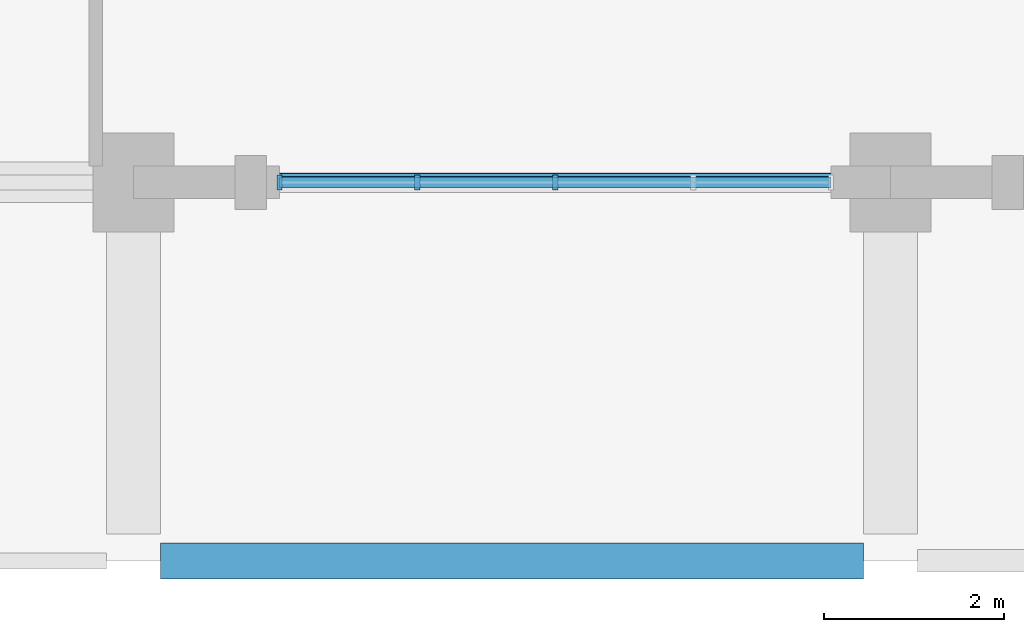
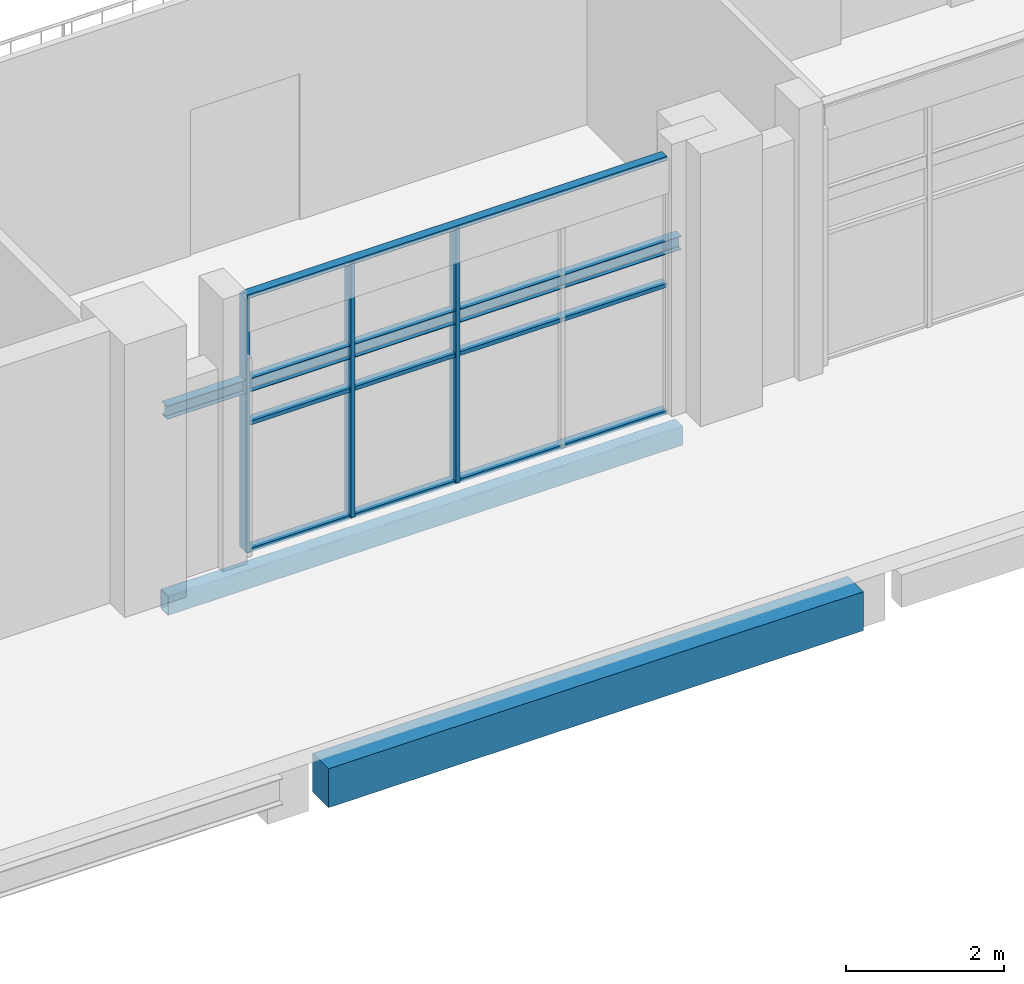
# One storey, part 11 of 59: 6 members, 3 beams, 1 element without a shape of its own.
"""IFC4 building model written with IfcOpenShell, lengths in metres."""

from ifc_helpers import new_model, si_unit, derived_unit, direction, frame, origin, origin_2d, place, context, subcontext, project, spatial, rectangle, hollow_rectangle, i_section, extrude, material, material_profile, profile_set, type_object, element, aggregate, save


model = new_model("IFC4")

# Units and contexts
model_context = context("Model", 3, precision=1e-05, world=origin(), true_north=direction((0.0, 1.0)))
body_context = subcontext(model_context, "Body", "Model", "MODEL_VIEW")
ifc_project = project(units=[si_unit("LENGTHUNIT", "METRE"), si_unit("AREAUNIT", "SQUARE_METRE"), si_unit("VOLUMEUNIT", "CUBIC_METRE"), si_unit("PLANEANGLEUNIT", "RADIAN"), si_unit("MASSUNIT", "GRAM", prefix="KILO"), derived_unit("THERMALTRANSMITTANCEUNIT", [(si_unit("POWERUNIT", "WATT"), 1), (si_unit("LENGTHUNIT", "METRE"), -2), (si_unit("THERMODYNAMICTEMPERATUREUNIT", "KELVIN"), -1)])], contexts=[model_context])

# Site, building, storey
site_placement = place(None, origin())
site = spatial("IfcSite", under=ifc_project, at=site_placement, CompositionType="ELEMENT")
building_placement = place(site_placement, origin())
building = spatial("IfcBuilding", under=site, at=building_placement, Name="Barrovel Congress Hotel", CompositionType="ELEMENT")
storey_placement = place(building_placement, frame((0.0, 0.0, 9.89990234375)))
storey = spatial("IfcBuildingStorey", under=building, at=storey_placement, Name="L02", CompositionType="ELEMENT", Elevation=9.89990234375)

# Beam
ifc_material_1 = material(Name="Concrete C40", Category="concrete")
ifc_material_profile_1 = material_profile(ifc_material_1, rectangle(XDim=0.39990234375, YDim=0.60009765625, at=origin_2d()), Name="RC400x600")
ifc_profile_set_1 = profile_set([ifc_material_profile_1], Name="Concrete C40")
beam_type_1 = type_object("IfcBeamType", Name="BM-RC400x600", PredefinedType="BEAM", material=ifc_profile_set_1)
beam_1_placement = place(storey_placement, frame((59.10009765625, 0.0, -0.559814453125), z_axis=(1.0, 0.0, 0.0), x_axis=(0.0, 1.0, 0.0)))
element("IfcBeam", 1, at=beam_1_placement, inside=storey, type_object=beam_type_1, Name="BMX:L02:0.0:58.8-67.2", PredefinedType="BEAM", context=body_context, shape_type="SweptSolid", body=[
    extrude(rectangle(XDim=0.39990234375, YDim=0.60009765625, at=origin_2d()), origin(), (0.0, 0.0, 1.0), 7.7998046875),
])

# Curtain wall, members
ifc_material_2 = material(Name="Anodised Aluminium Alloy 6063-T6", Category="aluminium")
curtain_wall_type = type_object("IfcCurtainWallType", Name="CW-ST-7200x3600", PredefinedType="USERDEFINED", material=ifc_material_2)
curtain_wall_placement = place(storey_placement, origin())
curtain_wall = element("IfcCurtainWall", 2, at=curtain_wall_placement, inside=storey, type_object=curtain_wall_type, Name="CW:L02:S:07", ObjectType="STICK CURTAIN WALL", PredefinedType="USERDEFINED")
ifc_material_profile_2 = material_profile(ifc_material_2, rectangle(XDim=0.06005859375, YDim=0.1650390625, at=origin_2d()), Name="AL-M60x165")
ifc_profile_set_2 = profile_set([ifc_material_profile_2], Name="Anodised Aluminium Alloy 6063-T6")
member_type_1 = type_object("IfcMemberType", Name="CWM-AL-M60x165", PredefinedType="MULLION", material=ifc_profile_set_2)
member_1_placement = place(storey_placement, frame((60.419921875, 4.199951171875, 0.0), z_axis=(0.0, 0.0, 1.0), x_axis=(1.0, 0.0, 0.0)))
member_1 = element("IfcMember", 3, at=member_1_placement, type_object=member_type_1, Name="CW:L02:S:07:M0", PredefinedType="MULLION", context=body_context, shape_type="SweptSolid", body=[
    extrude(rectangle(XDim=0.06005859375, YDim=0.1650390625, at=origin_2d()), origin(), (0.0, 0.0, 1.0), 3.920166015625),
])
member_2_placement = place(storey_placement, frame((61.949951171875, 4.199951171875, 0.0), z_axis=(0.0, 0.0, 1.0), x_axis=(1.0, 0.0, 0.0)))
member_2 = element("IfcMember", 4, at=member_2_placement, type_object=member_type_1, Name="CW:L02:S:07:M1", PredefinedType="MULLION", context=body_context, shape_type="SweptSolid", body=[
    extrude(rectangle(XDim=0.06005859375, YDim=0.1650390625, at=origin_2d()), origin(), (0.0, 0.0, 1.0), 3.920166015625),
])
member_3_placement = place(storey_placement, frame((63.47998046875, 4.199951171875, 0.0), z_axis=(0.0, 0.0, 1.0), x_axis=(1.0, 0.0, 0.0)))
member_3 = element("IfcMember", 5, at=member_3_placement, type_object=member_type_1, Name="CW:L02:S:07:M2", PredefinedType="MULLION", context=body_context, shape_type="SweptSolid", body=[
    extrude(rectangle(XDim=0.06005859375, YDim=0.1650390625, at=origin_2d()), origin(), (0.0, 0.0, 1.0), 3.920166015625),
])
ifc_material_profile_3 = material_profile(ifc_material_2, rectangle(XDim=0.125, YDim=0.06005859375, at=origin_2d()), Name="AL-T60x125")
ifc_profile_set_3 = profile_set([ifc_material_profile_3], Name="Anodised Aluminium Alloy 6063-T6")
member_type_2 = type_object("IfcMemberType", Name="CWT-AL-T60x125", PredefinedType="USERDEFINED", material=ifc_profile_set_3)
member_4_placement = place(storey_placement, frame((60.419921875, 4.199951171875, 0.0), z_axis=(1.0, 0.0, 0.0), x_axis=(0.0, 1.0, 0.0)))
member_4 = element("IfcMember", 6, at=member_4_placement, type_object=member_type_2, Name="CW:L02:S:07:T0", ObjectType="TRANSOM", PredefinedType="USERDEFINED", context=body_context, shape_type="SweptSolid", body=[
    extrude(rectangle(XDim=0.125, YDim=0.06005859375, at=origin_2d()), origin(), (0.0, 0.0, 1.0), 6.1201171875),
])
member_5_placement = place(storey_placement, frame((60.419921875, 4.199951171875, 1.960205078125), z_axis=(1.0, 0.0, 0.0), x_axis=(0.0, 1.0, 0.0)))
member_5 = element("IfcMember", 7, at=member_5_placement, type_object=member_type_2, Name="CW:L02:S:07:T1", ObjectType="TRANSOM", PredefinedType="USERDEFINED", context=body_context, shape_type="SweptSolid", body=[
    extrude(rectangle(XDim=0.125, YDim=0.06005859375, at=origin_2d()), origin(), (0.0, 0.0, 1.0), 6.1201171875),
])
member_6_placement = place(storey_placement, frame((60.419921875, 4.199951171875, 3.920166015625), z_axis=(1.0, 0.0, 0.0), x_axis=(0.0, 1.0, 0.0)))
member_6 = element("IfcMember", 8, at=member_6_placement, type_object=member_type_2, Name="CW:L02:S:07:T2", ObjectType="TRANSOM", PredefinedType="USERDEFINED", context=body_context, shape_type="SweptSolid", body=[
    extrude(rectangle(XDim=0.125, YDim=0.06005859375, at=origin_2d()), origin(), (0.0, 0.0, 1.0), 6.1201171875),
])
aggregate(curtain_wall, [member_1, member_2, member_3, member_4, member_5, member_6])

# Beams
ifc_material_3 = material(Name="Steel ASTM A500 Grade C", Category="steel")
ifc_material_profile_4 = material_profile(ifc_material_3, hollow_rectangle(XDim=0.203125, YDim=0.3046875, WallThickness=0.01171875, InnerFilletRadius=0.01171875, OuterFilletRadius=0.023681640625, at=origin_2d()), Name="HSS305x203x12.7")
ifc_profile_set_4 = profile_set([ifc_material_profile_4], Name="Steel ASTM A500 Grade C")
beam_type_2 = type_object("IfcBeamType", Name="SBM-HSS305x203x12.7", PredefinedType="SPANDREL", material=ifc_profile_set_4)
beam_2_placement = place(storey_placement, frame((59.25, 4.199951171875, -0.412353515625), z_axis=(1.0, 0.0, 0.0), x_axis=(0.0, 1.0, 0.0)))
element("IfcBeam", 9, at=beam_2_placement, inside=storey, type_object=beam_type_2, Name="BMX:L02:4.2:58.8-67.2", PredefinedType="SPANDREL", context=body_context, shape_type="SweptSolid", body=[
    extrude(hollow_rectangle(XDim=0.203125, YDim=0.3046875, WallThickness=0.01171875, InnerFilletRadius=0.01171875, OuterFilletRadius=0.023681640625, at=origin_2d()), origin(), (0.0, 0.0, 1.0), 7.5),
])
ifc_material_4 = material(Name="Steel ASTM A992 Grade 50", Category="steel")
ifc_material_profile_5 = material_profile(ifc_material_4, i_section(OverallWidth=0.133056640625, OverallDepth=0.20703125, WebThickness=0.005859375, FlangeThickness=0.00830078125, FilletRadius=0.010009765625, at=origin_2d()), Name="W200x27")
ifc_profile_set_5 = profile_set([ifc_material_profile_5], Name="Steel ASTM A992 Grade 50")
beam_type_3 = type_object("IfcBeamType", Name="SBM-W200x27", PredefinedType="LINTEL", material=ifc_profile_set_5)
beam_3_placement = place(storey_placement, frame((59.25, 4.199951171875, 2.546630859375), z_axis=(1.0, 0.0, 0.0), x_axis=(0.0, 1.0, 0.0)))
element("IfcBeam", 10, at=beam_3_placement, inside=storey, type_object=beam_type_3, Name="LIN:L02:58.8-67.2", PredefinedType="LINTEL", context=body_context, shape_type="SweptSolid", body=[
    extrude(i_section(OverallWidth=0.133056640625, OverallDepth=0.20703125, WebThickness=0.005859375, FlangeThickness=0.00830078125, FilletRadius=0.010009765625, at=origin_2d()), origin(), (0.0, 0.0, 1.0), 7.5),
])

save(model, "model.ifc")
